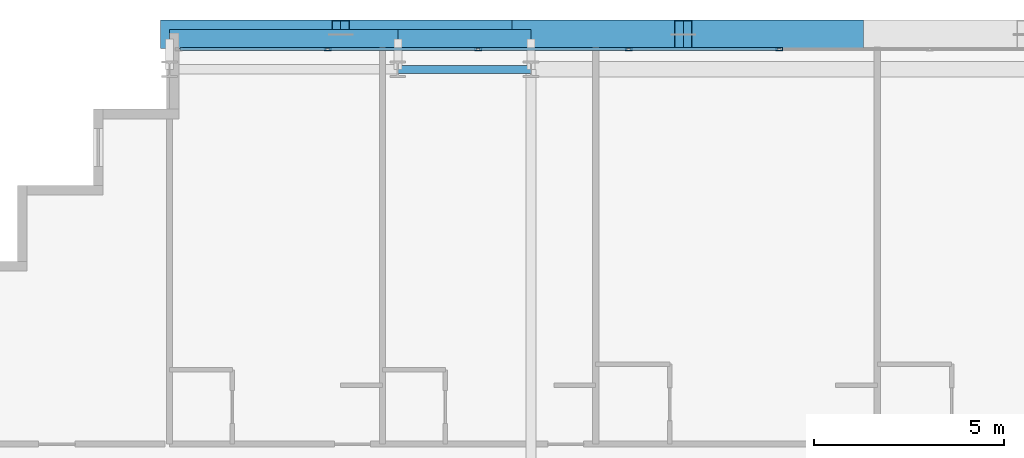
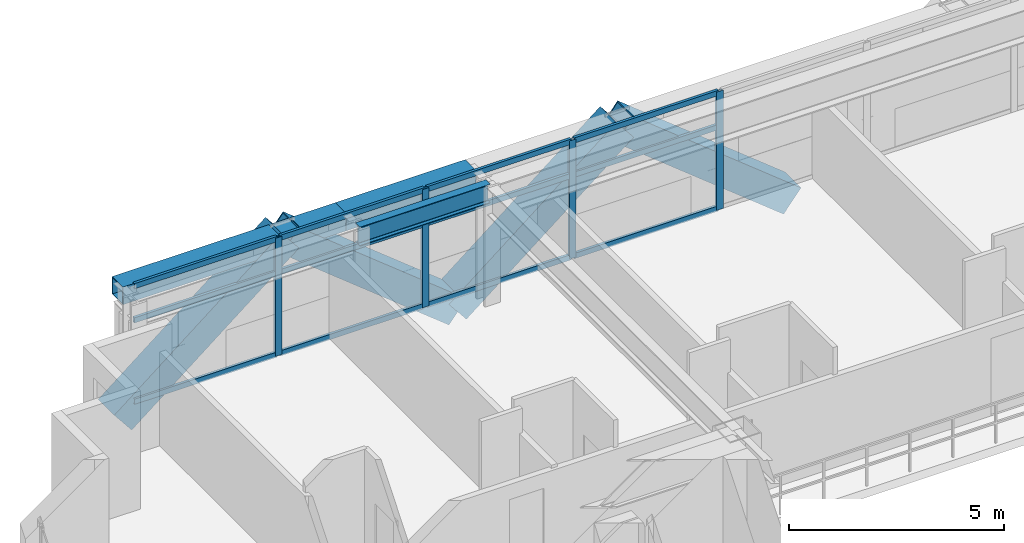
# One storey, part 18 of 35: 20 members, 3 beams, 1 element without a shape of its own.
"""IFC4 building model written with IfcOpenShell, lengths in metres."""

from ifc_helpers import new_model, si_unit, direction, frame, origin, origin_2d, place, context, subcontext, project, spatial, hollow_rectangle, i_section, extrude, source, transform, mapped, material, layer, layer_set, material_profile, profile_set, type_object, element, aggregate, save


model = new_model("IFC4")

# Units and contexts
model_context = context("Model", 3, precision=1e-05, world=origin(), true_north=direction((0.0, 1.0)))
body_context = subcontext(model_context, "Body", "Model", "MODEL_VIEW")
ifc_project = project(units=[si_unit("LENGTHUNIT", "METRE"), si_unit("AREAUNIT", "SQUARE_METRE"), si_unit("VOLUMEUNIT", "CUBIC_METRE"), si_unit("PLANEANGLEUNIT", "RADIAN"), si_unit("MASSUNIT", "GRAM", prefix="KILO")], contexts=[model_context])

# Site, building, storey
site_placement = place(None, origin())
site = spatial("IfcSite", under=ifc_project, at=site_placement, CompositionType="ELEMENT")
building_placement = place(site_placement, origin())
building = spatial("IfcBuilding", under=site, at=building_placement, Name="Ocotamira Hotel", CompositionType="ELEMENT")
storey_placement = place(building_placement, frame((0.0, 0.0, 140.39990234375)))
storey = spatial("IfcBuildingStorey", under=building, at=storey_placement, Name="L35", CompositionType="ELEMENT", Elevation=140.39990234375)

# Beams
ifc_material_1 = material(Name="Steel ASTM A992 Grade 50", Category="steel")
ifc_material_profile_1 = material_profile(ifc_material_1, i_section(OverallWidth=0.2099609375, OverallDepth=0.537109375, WebThickness=0.010986328125, FlangeThickness=0.017333984375, FilletRadius=0.012939453125, at=origin_2d()), Name="W21X68")
ifc_profile_set_1 = profile_set([ifc_material_profile_1], Name="Steel ASTM A992 Grade 50")
beam_type_1 = type_object("IfcBeamType", Name="BM-SEC-W21X68", PredefinedType="JOIST", material=ifc_profile_set_1)
shared_shape_1 = source(origin(), body_context, "Body", "SweptSolid", [
    extrude(i_section(OverallWidth=0.2099609375, OverallDepth=0.537109375, WebThickness=0.010986328125, FlangeThickness=0.017333984375, FilletRadius=0.012939453125, at=origin_2d()), origin(), (0.0, 0.0, 1.0), 3.5),
])
beam_1_placement = place(storey_placement, frame((20.0, 49.050048828125, 3.091552734375), z_axis=(1.0, 0.0, 0.0), x_axis=(0.0, 1.0, 0.0)))
element("IfcBeam", 1, at=beam_1_placement, inside=storey, type_object=beam_type_1, Name="L35 Girder Y49.05 X20-23.5", PredefinedType="JOIST", context=body_context, shape_type="MappedRepresentation", body=[
    mapped(shared_shape_1, transform((0.0, 0.0, 0.0), scale=1.0)),
])
ifc_material_2 = material(Name="Steel ASTM A500 Grade C", Category="steel")
ifc_material_profile_2 = material_profile(ifc_material_2, hollow_rectangle(XDim=0.5, YDim=0.5, WallThickness=0.02001953125, at=origin_2d()), Name="HSS500X500X20")
ifc_profile_set_2 = profile_set([ifc_material_profile_2], Name="Steel ASTM A500 Grade C")
beam_type_2 = type_object("IfcBeamType", Name="BM-SPAN-HSS500", PredefinedType="USERDEFINED", material=ifc_profile_set_2)
shared_shape_2 = source(origin(), body_context, "Body", "SweptSolid", [
    extrude(hollow_rectangle(XDim=0.5, YDim=0.5, WallThickness=0.02001953125, at=origin_2d()), origin(), (0.0, 0.0, 1.0), 6.0),
])
beam_2_placement = place(storey_placement, frame((14.0, 49.85009765625, 3.110107421875), z_axis=(1.0, 0.0, 0.0), x_axis=(0.0, 1.0, 0.0)))
element("IfcBeam", 2, at=beam_2_placement, inside=storey, type_object=beam_type_2, Name="L35 Edge Spandrel N X14-20", ObjectType="SPANDREL", PredefinedType="USERDEFINED", context=body_context, shape_type="MappedRepresentation", body=[
    mapped(shared_shape_2, transform((0.0, 0.0, 0.0), scale=1.0)),
])
shared_shape_3 = source(origin(), body_context, "Body", "SweptSolid", [
    extrude(hollow_rectangle(XDim=0.5, YDim=0.5, WallThickness=0.02001953125, at=origin_2d()), origin(), (0.0, 0.0, 1.0), 3.5),
])
beam_3_placement = place(storey_placement, frame((20.0, 49.85009765625, 3.110107421875), z_axis=(1.0, 0.0, 0.0), x_axis=(0.0, 1.0, 0.0)))
element("IfcBeam", 3, at=beam_3_placement, inside=storey, type_object=beam_type_2, Name="L35 Edge Spandrel N X20-23.5", ObjectType="SPANDREL", PredefinedType="USERDEFINED", context=body_context, shape_type="MappedRepresentation", body=[
    mapped(shared_shape_3, transform((0.0, 0.0, 0.0), scale=1.0)),
])

# Members
ifc_material_3 = material(Name="Pale-metal coated steel ASTM A913 Grade 65", Category="steel")
ifc_material_profile_3 = material_profile(ifc_material_3, hollow_rectangle(XDim=0.75, YDim=0.75, WallThickness=0.028076171875, at=origin_2d()), Name="BOX750X750X28")
ifc_profile_set_3 = profile_set([ifc_material_profile_3], Name="Pale-metal coated steel ASTM A913 Grade 65")
member_type_1 = type_object("IfcMemberType", Name="MEM-EXO-BOX750", PredefinedType="BRACE", material=ifc_profile_set_3)
shared_shape_4 = source(origin(), body_context, "Body", "SweptSolid", [
    extrude(hollow_rectangle(XDim=0.75, YDim=0.75, WallThickness=0.028076171875, at=origin_2d()), origin(), (0.0, 0.0, 1.0), 5.762939453125),
])
for number, where, z_axis, x_axis, name in (
    (4, (14.0, 49.969970703125, -0.489990234375), (0.780860543151, 0.0, 0.624705380279), (0.0, 1.0, 0.0), "L35 Exoskeleton Diagrid N0.1"),
    (5, (23.0, 49.969970703125, -0.489990234375), (-0.780860543151, 0.0, 0.624705380279), (0.0, -1.0, 0.0), "L35 Exoskeleton Diagrid N0.2"),
    (6, (23.0, 49.969970703125, -0.489990234375), (0.780860543151, 0.0, 0.624705380279), (0.0, 1.0, 0.0), "L35 Exoskeleton Diagrid N1.1"),
    (7, (32.0, 49.969970703125, -0.489990234375), (-0.780860543151, 0.0, 0.624705380279), (0.0, -1.0, 0.0), "L35 Exoskeleton Diagrid N1.2"),
):
    element("IfcMember", number, at=place(storey_placement, frame(where, z_axis=z_axis, x_axis=x_axis)), inside=storey, type_object=member_type_1, Name=name, PredefinedType="BRACE", context=body_context, shape_type="MappedRepresentation", body=[
        mapped(shared_shape_4, transform((0.0, 0.0, 0.0), scale=1.0)),
    ])

# Curtain wall, members
ifc_material_4 = material(Name="Anodised pale-metal aluminium and solar glass", Category="aluminium")
ifc_layer = layer(ifc_material_4, 0.179931640625)
ifc_layer_set = layer_set([ifc_layer], Name="Anodised pale-metal aluminium and solar glass")
curtain_wall_type = type_object("IfcCurtainWallType", Name="CW-SYS3-Z2", PredefinedType="NOTDEFINED", material=ifc_layer_set)
curtain_wall_placement = place(storey_placement, origin())
curtain_wall = element("IfcCurtainWall", 8, at=curtain_wall_placement, inside=storey, type_object=curtain_wall_type, Name="L35 Curtain Wall CW-3 CW-L35-N", PredefinedType="NOTDEFINED")
ifc_material_5 = material(Name="Anodised pale-metal aluminium 6063-T6", Category="aluminium")
ifc_material_profile_4 = material_profile(ifc_material_5, hollow_rectangle(XDim=0.074951171875, YDim=0.14990234375, WallThickness=0.006103515625, at=origin_2d()), Name="HSS150X75X6")
ifc_profile_set_4 = profile_set([ifc_material_profile_4], Name="Anodised pale-metal aluminium 6063-T6")
member_type_2 = type_object("IfcMemberType", Name="CWT-150X75", PredefinedType="USERDEFINED", material=ifc_profile_set_4)
shared_shape_5 = source(origin(), body_context, "Body", "SweptSolid", [
    extrude(hollow_rectangle(XDim=0.074951171875, YDim=0.14990234375, WallThickness=0.006103515625, at=origin_2d()), origin(), (0.0, 0.0, 1.0), 3.83544921875),
])
member_1_placement = place(storey_placement, frame((14.280029296875, 49.580078125, 0.03759765625), z_axis=(1.0, 0.0, 0.0), x_axis=(0.0, 1.0, 0.0)))
member_1 = element("IfcMember", 9, at=member_1_placement, type_object=member_type_2, Name="CW-3 transom 1.1", ObjectType="TRANSOM", PredefinedType="USERDEFINED", context=body_context, shape_type="MappedRepresentation", body=[
    mapped(shared_shape_5, transform((0.0, 0.0, 0.0), scale=1.0)),
])
member_2_placement = place(storey_placement, frame((14.280029296875, 49.580078125, 2.35009765625), z_axis=(1.0, 0.0, 0.0), x_axis=(0.0, 1.0, 0.0)))
member_2 = element("IfcMember", 10, at=member_2_placement, type_object=member_type_2, Name="CW-3 transom 1.2", ObjectType="TRANSOM", PredefinedType="USERDEFINED", context=body_context, shape_type="MappedRepresentation", body=[
    mapped(shared_shape_5, transform((0.0, 0.0, 0.0), scale=1.0)),
])
member_3_placement = place(storey_placement, frame((14.280029296875, 49.580078125, 3.322509765625), z_axis=(1.0, 0.0, 0.0), x_axis=(0.0, 1.0, 0.0)))
member_3 = element("IfcMember", 11, at=member_3_placement, type_object=member_type_2, Name="CW-3 transom 1.3", ObjectType="TRANSOM", PredefinedType="USERDEFINED", context=body_context, shape_type="MappedRepresentation", body=[
    mapped(shared_shape_5, transform((0.0, 0.0, 0.0), scale=1.0)),
])
shared_shape_6 = source(origin(), body_context, "Body", "SweptSolid", [
    extrude(hollow_rectangle(XDim=0.074951171875, YDim=0.14990234375, WallThickness=0.006103515625, at=origin_2d()), origin(), (0.0, 0.0, 1.0), 3.87548828125),
])
member_4_placement = place(storey_placement, frame((18.195556640625, 49.580078125, 0.03759765625), z_axis=(1.0, 0.0, 0.0), x_axis=(0.0, 1.0, 0.0)))
member_4 = element("IfcMember", 12, at=member_4_placement, type_object=member_type_2, Name="CW-3 transom 2.1", ObjectType="TRANSOM", PredefinedType="USERDEFINED", context=body_context, shape_type="MappedRepresentation", body=[
    mapped(shared_shape_6, transform((0.0, 0.0, 0.0), scale=1.0)),
])
member_5_placement = place(storey_placement, frame((18.195556640625, 49.580078125, 2.35009765625), z_axis=(1.0, 0.0, 0.0), x_axis=(0.0, 1.0, 0.0)))
member_5 = element("IfcMember", 13, at=member_5_placement, type_object=member_type_2, Name="CW-3 transom 2.2", ObjectType="TRANSOM", PredefinedType="USERDEFINED", context=body_context, shape_type="MappedRepresentation", body=[
    mapped(shared_shape_6, transform((0.0, 0.0, 0.0), scale=1.0)),
])
member_6_placement = place(storey_placement, frame((18.195556640625, 49.580078125, 3.322509765625), z_axis=(1.0, 0.0, 0.0), x_axis=(0.0, 1.0, 0.0)))
member_6 = element("IfcMember", 14, at=member_6_placement, type_object=member_type_2, Name="CW-3 transom 2.3", ObjectType="TRANSOM", PredefinedType="USERDEFINED", context=body_context, shape_type="MappedRepresentation", body=[
    mapped(shared_shape_6, transform((0.0, 0.0, 0.0), scale=1.0)),
])
member_7_placement = place(storey_placement, frame((22.151123046875, 49.580078125, 0.03759765625), z_axis=(1.0, 0.0, 0.0), x_axis=(0.0, 1.0, 0.0)))
member_7 = element("IfcMember", 15, at=member_7_placement, type_object=member_type_2, Name="CW-3 transom 3.1", ObjectType="TRANSOM", PredefinedType="USERDEFINED", context=body_context, shape_type="MappedRepresentation", body=[
    mapped(shared_shape_6, transform((0.0, 0.0, 0.0), scale=1.0)),
])
member_8_placement = place(storey_placement, frame((22.151123046875, 49.580078125, 2.35009765625), z_axis=(1.0, 0.0, 0.0), x_axis=(0.0, 1.0, 0.0)))
member_8 = element("IfcMember", 16, at=member_8_placement, type_object=member_type_2, Name="CW-3 transom 3.2", ObjectType="TRANSOM", PredefinedType="USERDEFINED", context=body_context, shape_type="MappedRepresentation", body=[
    mapped(shared_shape_6, transform((0.0, 0.0, 0.0), scale=1.0)),
])
member_9_placement = place(storey_placement, frame((22.151123046875, 49.580078125, 3.322509765625), z_axis=(1.0, 0.0, 0.0), x_axis=(0.0, 1.0, 0.0)))
member_9 = element("IfcMember", 17, at=member_9_placement, type_object=member_type_2, Name="CW-3 transom 3.3", ObjectType="TRANSOM", PredefinedType="USERDEFINED", context=body_context, shape_type="MappedRepresentation", body=[
    mapped(shared_shape_6, transform((0.0, 0.0, 0.0), scale=1.0)),
])
member_10_placement = place(storey_placement, frame((26.106689453125, 49.580078125, 0.03759765625), z_axis=(1.0, 0.0, 0.0), x_axis=(0.0, 1.0, 0.0)))
member_10 = element("IfcMember", 18, at=member_10_placement, type_object=member_type_2, Name="CW-3 transom 4.1", ObjectType="TRANSOM", PredefinedType="USERDEFINED", context=body_context, shape_type="MappedRepresentation", body=[
    mapped(shared_shape_6, transform((0.0, 0.0, 0.0), scale=1.0)),
])
member_11_placement = place(storey_placement, frame((26.106689453125, 49.580078125, 2.35009765625), z_axis=(1.0, 0.0, 0.0), x_axis=(0.0, 1.0, 0.0)))
member_11 = element("IfcMember", 19, at=member_11_placement, type_object=member_type_2, Name="CW-3 transom 4.2", ObjectType="TRANSOM", PredefinedType="USERDEFINED", context=body_context, shape_type="MappedRepresentation", body=[
    mapped(shared_shape_6, transform((0.0, 0.0, 0.0), scale=1.0)),
])
member_12_placement = place(storey_placement, frame((26.106689453125, 49.580078125, 3.322509765625), z_axis=(1.0, 0.0, 0.0), x_axis=(0.0, 1.0, 0.0)))
member_12 = element("IfcMember", 20, at=member_12_placement, type_object=member_type_2, Name="CW-3 transom 4.3", ObjectType="TRANSOM", PredefinedType="USERDEFINED", context=body_context, shape_type="MappedRepresentation", body=[
    mapped(shared_shape_6, transform((0.0, 0.0, 0.0), scale=1.0)),
])
ifc_material_profile_5 = material_profile(ifc_material_5, hollow_rectangle(XDim=0.080078125, YDim=0.179931640625, WallThickness=0.006103515625, at=origin_2d()), Name="HSS180X80X6")
ifc_profile_set_5 = profile_set([ifc_material_profile_5], Name="Anodised pale-metal aluminium 6063-T6")
member_type_3 = type_object("IfcMemberType", Name="CWM-180X75", PredefinedType="MULLION", material=ifc_profile_set_5)
shared_shape_7 = source(origin(), body_context, "Body", "SweptSolid", [
    extrude(hollow_rectangle(XDim=0.080078125, YDim=0.179931640625, WallThickness=0.006103515625, at=origin_2d()), origin(), (0.0, 0.0, 1.0), 3.360107421875),
])
member_13_placement = place(storey_placement, frame((18.155517578125, 49.580078125, 0.0), z_axis=(0.0, 0.0, 1.0), x_axis=(0.0, 1.0, 0.0)))
member_13 = element("IfcMember", 21, at=member_13_placement, type_object=member_type_3, Name="CW-3 mullion 2", PredefinedType="MULLION", context=body_context, shape_type="MappedRepresentation", body=[
    mapped(shared_shape_7, transform((0.0, 0.0, 0.0), scale=1.0)),
])
member_14_placement = place(storey_placement, frame((22.111083984375, 49.580078125, 0.0), z_axis=(0.0, 0.0, 1.0), x_axis=(0.0, 1.0, 0.0)))
member_14 = element("IfcMember", 22, at=member_14_placement, type_object=member_type_3, Name="CW-3 mullion 3", PredefinedType="MULLION", context=body_context, shape_type="MappedRepresentation", body=[
    mapped(shared_shape_7, transform((0.0, 0.0, 0.0), scale=1.0)),
])
member_15_placement = place(storey_placement, frame((26.066650390625, 49.580078125, 0.0), z_axis=(0.0, 0.0, 1.0), x_axis=(0.0, 1.0, 0.0)))
member_15 = element("IfcMember", 23, at=member_15_placement, type_object=member_type_3, Name="CW-3 mullion 4", PredefinedType="MULLION", context=body_context, shape_type="MappedRepresentation", body=[
    mapped(shared_shape_7, transform((0.0, 0.0, 0.0), scale=1.0)),
])
member_16_placement = place(storey_placement, frame((30.022216796875, 49.580078125, 0.0), z_axis=(0.0, 0.0, 1.0), x_axis=(0.0, 1.0, 0.0)))
member_16 = element("IfcMember", 24, at=member_16_placement, type_object=member_type_3, Name="CW-3 mullion 5", PredefinedType="MULLION", context=body_context, shape_type="MappedRepresentation", body=[
    mapped(shared_shape_7, transform((0.0, 0.0, 0.0), scale=1.0)),
])
aggregate(curtain_wall, [member_13, member_14, member_15, member_16, member_1, member_2, member_3, member_4, member_5, member_6, member_7, member_8, member_9, member_10, member_11, member_12])

save(model, "model.ifc")
